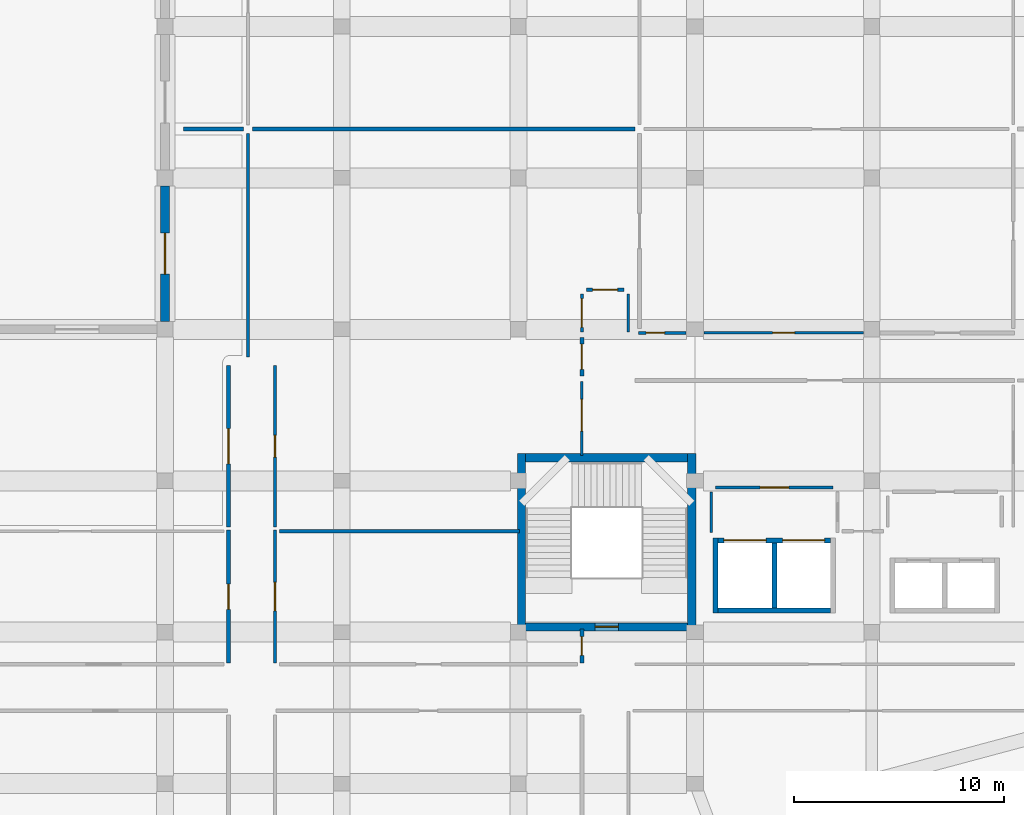
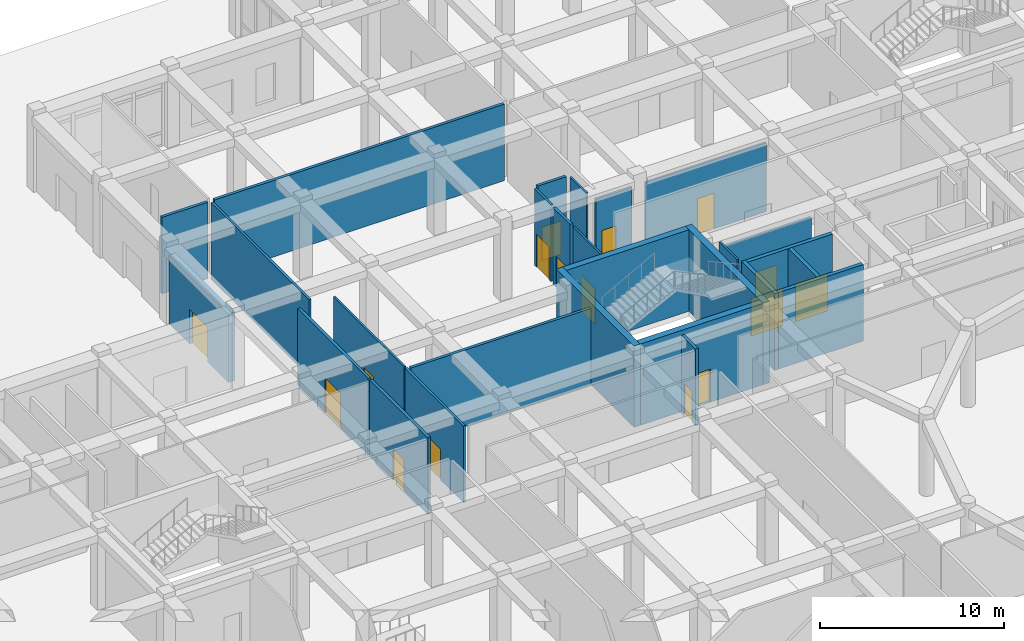
# One storey, part 71 of 84: 27 walls, 16 doors, 16 openings.
"""IFC4 building model written with IfcOpenShell, lengths in metres."""

from ifc_helpers import new_model, si_unit, derived_unit, direction, frame, frame_2d, origin, place, context, subcontext, project, spatial, rectangle, extrude, material, layer, layer_set, type_object, element, fill, save


model = new_model("IFC4")

# Units and contexts
model_context = context("Model", 3, precision=1e-05, world=origin(), true_north=direction((0.0, 1.0)))
body_context = subcontext(model_context, "Body", "Model", "MODEL_VIEW")
ifc_project = project(units=[si_unit("LENGTHUNIT", "METRE"), si_unit("AREAUNIT", "SQUARE_METRE"), si_unit("VOLUMEUNIT", "CUBIC_METRE"), si_unit("PLANEANGLEUNIT", "RADIAN"), si_unit("MASSUNIT", "GRAM", prefix="KILO"), derived_unit("THERMALTRANSMITTANCEUNIT", [(si_unit("POWERUNIT", "WATT"), 1), (si_unit("LENGTHUNIT", "METRE"), -2), (si_unit("THERMODYNAMICTEMPERATUREUNIT", "KELVIN"), -1)])], contexts=[model_context])

# Site, building, storey
site_placement = place(None, origin())
site = spatial("IfcSite", under=ifc_project, at=site_placement, CompositionType="ELEMENT")
building_placement = place(site_placement, origin())
building = spatial("IfcBuilding", under=site, at=building_placement, Name="Veybourne Emporium", CompositionType="ELEMENT")
storey_placement = place(building_placement, origin())
storey = spatial("IfcBuildingStorey", under=building, at=storey_placement, Name="L00", CompositionType="ELEMENT", Elevation=0.0)

# Wall, opening, door
ifc_material_1 = material(Name="Honed Black Granite Plinth", Category="masonry")
ifc_layer_1 = layer(ifc_material_1, 0.419921875)
ifc_layer_set_1 = layer_set([ifc_layer_1], Name="Honed Black Granite Plinth")
wall_type_1 = type_object("IfcWallType", Name="ExtWall_EW-02", PredefinedType="SOLIDWALL", material=ifc_layer_set_1)
wall_1_placement = place(storey_placement, frame((33.60009765625, 86.77490234375, 0.0), z_axis=(0.0, 0.0, 1.0), x_axis=(0.0, 1.0, 0.0)))
wall_1 = element("IfcWall", 1, at=wall_1_placement, inside=storey, type_object=wall_type_1, Name="Ground street granite plinth entrance wall 022", PredefinedType="SOLIDWALL", context=body_context, shape_type="SweptSolid", body=[
    extrude(rectangle(XDim=6.4501953125, YDim=0.419921875, at=frame_2d((3.22509765625, 0.0))), origin(), (0.0, 0.0, 1.0), 4.530029296875),
])
opening_1_placement = place(wall_1_placement, frame((2.25, 0.0, 0.0)))
opening_1 = element("IfcOpeningElement", 2, at=opening_1_placement, cuts=wall_1, Name="Opening EX-06", PredefinedType="OPENING", context=body_context, shape_type="SweptSolid", body=[
    extrude(rectangle(XDim=1.949951171875, YDim=2.300048828125, at=frame_2d((0.97509765625, 1.14990234375))), frame((0.0, 0.22998046875, 0.0), z_axis=(0.0, -1.0, 0.0), x_axis=(1.0, 0.0, 0.0)), (0.0, 0.0, 1.0), 0.4599609375),
])
ifc_material_2 = material(Name="Patinated Architectural Bronze", Category="bronze")
door_type_1 = type_object("IfcDoorType", Name="ExitDoor_EX-06", OperationType="DOUBLE_DOOR_SINGLE_SWING", PredefinedType="DOOR", material=ifc_material_2)
door_1_placement = place(opening_1_placement, origin())
door_1 = element("IfcDoor", 3, at=door_1_placement, inside=storey, type_object=door_type_1, Name="Pedestrian final exit door EX-06 #11", OperationType="DOUBLE_DOOR_SINGLE_SWING", OverallHeight=2.300048828125, OverallWidth=1.949951171875, PredefinedType="DOOR", context=body_context, shape_type="SweptSolid", body=[
    extrude(rectangle(XDim=1.949951171875, YDim=2.300048828125, at=frame_2d((0.97509765625, 1.14990234375))), frame((0.0, 0.02490234375, 0.0), z_axis=(0.0, -1.0, 0.0), x_axis=(1.0, 0.0, 0.0)), (0.0, 0.0, 1.0), 0.050048828125),
])
fill(opening_1, door_1)

ifc_material_3 = material(Name="Concrete C40/50", Category="concrete")
ifc_layer_2 = layer(ifc_material_3, 0.39990234375)
ifc_layer_set_2 = layer_set([ifc_layer_2], Name="Concrete C40/50")
wall_type_2 = type_object("IfcWallType", Name="IntWall_CW-01", PredefinedType="SHEAR", material=ifc_layer_set_2)
wall_2_placement = place(storey_placement, frame((58.449951171875, 72.25, 0.0), z_axis=(0.0, 0.0, 1.0), x_axis=(-1.0, 0.0, 0.0)))
wall_2 = element("IfcWall", 4, at=wall_2_placement, inside=storey, type_object=wall_type_2, Name="Core stair ST-03 south shear wall (L00)", PredefinedType="SHEAR", context=body_context, shape_type="SweptSolid", body=[
    extrude(rectangle(XDim=7.699951171875, YDim=0.39990234375, at=frame_2d((3.85009765625, 0.0))), origin(), (0.0, 0.0, 1.0), 5.39990234375),
])
opening_2_placement = place(wall_2_placement, frame((3.300048828125, 0.0, 0.0)))
opening_2 = element("IfcOpeningElement", 5, at=opening_2_placement, cuts=wall_2, Name="Opening FD-01", PredefinedType="OPENING", context=body_context, shape_type="SweptSolid", body=[
    extrude(rectangle(XDim=1.10009765625, YDim=2.199951171875, at=frame_2d((0.550048828125, 1.10009765625))), frame((0.0, 0.219970703125, 0.0), z_axis=(0.0, -1.0, 0.0), x_axis=(1.0, 0.0, 0.0)), (0.0, 0.0, 1.0), 0.43994140625),
])
door_type_2 = type_object("IfcDoorType", Name="FireDoor_FD-01", OperationType="NOTDEFINED", PredefinedType="DOOR", material=ifc_material_2)
door_2_placement = place(opening_2_placement, origin())
door_2 = element("IfcDoor", 6, at=door_2_placement, inside=storey, type_object=door_type_2, Name="Stair ST-03 fire door (L00)", OperationType="SINGLE_SWING_LEFT", OverallHeight=2.199951171875, OverallWidth=1.10009765625, PredefinedType="DOOR", context=body_context, shape_type="SweptSolid", body=[
    extrude(rectangle(XDim=1.10009765625, YDim=2.199951171875, at=frame_2d((0.550048828125, 1.10009765625))), frame((0.0, 0.02490234375, 0.0), z_axis=(0.0, -1.0, 0.0), x_axis=(1.0, 0.0, 0.0)), (0.0, 0.0, 1.0), 0.050048828125),
])
fill(opening_2, door_2)

# Walls
wall_3_placement = place(storey_placement, frame((50.75, 80.300048828125, 0.0), z_axis=(0.0, 0.0, 1.0), x_axis=(1.0, 0.0, 0.0)))
element("IfcWall", 7, at=wall_3_placement, inside=storey, type_object=wall_type_2, Name="Core stair ST-03 north shear wall (L00)", PredefinedType="SHEAR", context=body_context, shape_type="SweptSolid", body=[
    extrude(rectangle(XDim=7.699951171875, YDim=0.39990234375, at=frame_2d((3.85009765625, 0.0))), origin(), (0.0, 0.0, 1.0), 5.39990234375),
])
for number, where, z_axis, x_axis, name in (
    (8, (50.550048828125, 80.5, 0.0), (0.0, 0.0, 1.0), (0.0, -1.0, 0.0), "Core stair ST-03 west shear wall (L00)"),
    (9, (58.64990234375, 72.050048828125, 0.0), (0.0, 0.0, 1.0), (0.0, 1.0, 0.0), "Core stair ST-03 east shear wall (L00)"),
):
    element("IfcWall", number, at=place(storey_placement, frame(where, z_axis=z_axis, x_axis=x_axis)), inside=storey, type_object=wall_type_2, Name=name, PredefinedType="SHEAR", context=body_context, shape_type="SweptSolid", body=[
        extrude(rectangle(XDim=8.449951171875, YDim=0.39990234375, at=frame_2d((4.22509765625, 0.0))), origin(), (0.0, 0.0, 1.0), 5.39990234375),
    ])

# Wall, openings, doors
ifc_layer_3 = layer(ifc_material_3, 0.239990234375)
ifc_layer_set_3 = layer_set([ifc_layer_3], Name="Concrete C40/50")
wall_type_3 = type_object("IfcWallType", Name="IntWall_CW-04", PredefinedType="SHEAR", material=ifc_layer_set_3)
wall_4_placement = place(storey_placement, frame((65.239990234375, 76.3701171875, 0.0), z_axis=(0.0, 0.0, 1.0), x_axis=(-1.0, 0.0, 0.0)))
wall_4 = element("IfcWall", 10, at=wall_4_placement, inside=storey, type_object=wall_type_3, Name="Lift core C4G north shaft wall (L00)", PredefinedType="SHEAR", context=body_context, shape_type="SweptSolid", body=[
    extrude(rectangle(XDim=5.340087890625, YDim=0.239990234375, at=frame_2d((2.669921875, 0.0))), origin(), (0.0, 0.0, 1.0), 5.080078125),
])
opening_3_placement = place(wall_4_placement, frame((3.06494140625, 0.0, 0.0)))
opening_3 = element("IfcOpeningElement", 11, at=opening_3_placement, cuts=wall_4, Name="Opening LD-03", PredefinedType="OPENING", context=body_context, shape_type="SweptSolid", body=[
    extrude(rectangle(XDim=2.0, YDim=2.5, at=frame_2d((1.0, 1.25))), frame((0.0, 0.14013671875, 0.0), z_axis=(0.0, -1.0, 0.0), x_axis=(1.0, 0.0, 0.0)), (0.0, 0.0, 1.0), 0.280029296875),
])
opening_4_placement = place(wall_4_placement, frame((0.27490234375, 0.0, 0.0)))
opening_4 = element("IfcOpeningElement", 12, at=opening_4_placement, cuts=wall_4, Name="Opening LD-03", PredefinedType="OPENING", context=body_context, shape_type="SweptSolid", body=[
    extrude(rectangle(XDim=2.0, YDim=2.5, at=frame_2d((1.0, 1.25))), frame((0.0, 0.14013671875, 0.0), z_axis=(0.0, -1.0, 0.0), x_axis=(1.0, 0.0, 0.0)), (0.0, 0.0, 1.0), 0.280029296875),
])
door_type_3 = type_object("IfcDoorType", Name="FireDoor_LD-03", OperationType="DOUBLE_DOOR_SLIDING", PredefinedType="DOOR", material=ifc_material_2)
door_3_placement = place(opening_3_placement, origin())
door_3 = element("IfcDoor", 13, at=door_3_placement, inside=storey, type_object=door_type_3, Name="Lift GL-01 sliding landing door (L00)", OperationType="DOUBLE_DOOR_SLIDING", OverallHeight=2.5, OverallWidth=2.0, PredefinedType="DOOR", context=body_context, shape_type="SweptSolid", body=[
    extrude(rectangle(XDim=2.0, YDim=2.5, at=frame_2d((1.0, 1.25))), frame((0.0, 0.02490234375, 0.0), z_axis=(0.0, -1.0, 0.0), x_axis=(1.0, 0.0, 0.0)), (0.0, 0.0, 1.0), 0.050048828125),
])
fill(opening_3, door_3)
door_4_placement = place(opening_4_placement, origin())
door_4 = element("IfcDoor", 14, at=door_4_placement, inside=storey, type_object=door_type_3, Name="Lift GL-02 sliding landing door (L00)", OperationType="DOUBLE_DOOR_SLIDING", OverallHeight=2.5, OverallWidth=2.0, PredefinedType="DOOR", context=body_context, shape_type="SweptSolid", body=[
    extrude(rectangle(XDim=2.0, YDim=2.5, at=frame_2d((1.0, 1.25))), frame((0.0, 0.02490234375, 0.0), z_axis=(0.0, -1.0, 0.0), x_axis=(1.0, 0.0, 0.0)), (0.0, 0.0, 1.0), 0.050048828125),
])
fill(opening_4, door_4)

# Walls
wall_5_placement = place(storey_placement, frame((59.89990234375, 73.030029296875, 0.0), z_axis=(0.0, 0.0, 1.0), x_axis=(1.0, 0.0, 0.0)))
element("IfcWall", 15, at=wall_5_placement, inside=storey, type_object=wall_type_3, Name="Lift core C4G south shaft wall (L00)", PredefinedType="SHEAR", context=body_context, shape_type="SweptSolid", body=[
    extrude(rectangle(XDim=5.340087890625, YDim=0.239990234375, at=frame_2d((2.669921875, 0.0))), origin(), (0.0, 0.0, 1.0), 5.080078125),
])
wall_6_placement = place(storey_placement, frame((59.780029296875, 76.489990234375, 0.0), z_axis=(0.0, 0.0, 1.0), x_axis=(0.0, -1.0, 0.0)))
element("IfcWall", 16, at=wall_6_placement, inside=storey, type_object=wall_type_3, Name="Lift core C4G west shaft wall (L00)", PredefinedType="SHEAR", context=body_context, shape_type="SweptSolid", body=[
    extrude(rectangle(XDim=3.580078125, YDim=0.239990234375, at=frame_2d((1.7900390625, 0.0))), origin(), (0.0, 0.0, 1.0), 5.080078125),
])
wall_7_placement = place(storey_placement, frame((62.570068359375, 73.14990234375, 0.0), z_axis=(0.0, 0.0, 1.0), x_axis=(0.0, 1.0, 0.0)))
element("IfcWall", 17, at=wall_7_placement, inside=storey, type_object=wall_type_3, Name="Lift core C4G divider wall 1 (L00)", PredefinedType="SHEAR", context=body_context, shape_type="SweptSolid", body=[
    extrude(rectangle(XDim=3.10009765625, YDim=0.239990234375, at=frame_2d((1.550048828125, 0.0))), origin(), (0.0, 0.0, 1.0), 5.080078125),
])

# Wall, opening, door
ifc_material_4 = material(Name="Gypsum Acoustic Board", Category="gypsum")
ifc_layer_4 = layer(ifc_material_4, 0.179931640625)
ifc_layer_set_4 = layer_set([ifc_layer_4], Name="Gypsum Acoustic Board")
wall_type_4 = type_object("IfcWallType", Name="IntWall_IW-01", PredefinedType="PARTITIONING", material=ifc_layer_set_4)
wall_8_placement = place(storey_placement, frame((36.6201171875, 77.010009765625, 0.0), z_axis=(0.0, 0.0, 1.0), x_axis=(0.0, 1.0, 0.0)))
wall_8 = element("IfcWall", 18, at=wall_8_placement, inside=storey, type_object=wall_type_4, Name="L00 interior partition IW-01 #092", PredefinedType="PARTITIONING", context=body_context, shape_type="SweptSolid", body=[
    extrude(rectangle(XDim=7.659912109375, YDim=0.179931640625, at=frame_2d((3.830078125, 0.0))), origin(), (0.0, 0.0, 1.0), 5.080078125),
])
opening_5_placement = place(wall_8_placement, frame((2.989990234375, 0.0, 0.0)))
opening_5 = element("IfcOpeningElement", 19, at=opening_5_placement, cuts=wall_8, Name="Opening D-24", PredefinedType="OPENING", context=body_context, shape_type="SweptSolid", body=[
    extrude(rectangle(XDim=1.679931640625, YDim=2.2900390625, at=frame_2d((0.83984375, 1.14501953125))), frame((0.0, 0.10986328125, 0.0), z_axis=(0.0, -1.0, 0.0), x_axis=(1.0, 0.0, 0.0)), (0.0, 0.0, 1.0), 0.219970703125),
])
ifc_material_5 = material(Name="European Oak Veneer and Bronze", Category="wood")
door_type_4 = type_object("IfcDoorType", Name="IntDoor_D-24", OperationType="DOUBLE_DOOR_SINGLE_SWING", PredefinedType="DOOR", material=ifc_material_5)
door_5_placement = place(opening_5_placement, origin())
door_5 = element("IfcDoor", 20, at=door_5_placement, inside=storey, type_object=door_type_4, Name="L00 interior door D-24 (PART-L00-092)", OperationType="DOUBLE_DOOR_SINGLE_SWING", OverallHeight=2.2900390625, OverallWidth=1.679931640625, PredefinedType="DOOR", context=body_context, shape_type="SweptSolid", body=[
    extrude(rectangle(XDim=1.679931640625, YDim=2.2900390625, at=frame_2d((0.83984375, 1.14501953125))), frame((0.0, 0.02490234375, 0.0), z_axis=(0.0, -1.0, 0.0), x_axis=(1.0, 0.0, 0.0)), (0.0, 0.0, 1.0), 0.050048828125),
])
fill(opening_5, door_5)

wall_9_placement = place(storey_placement, frame((36.6201171875, 70.530029296875, 0.0), z_axis=(0.0, 0.0, 1.0), x_axis=(0.0, 1.0, 0.0)))
wall_9 = element("IfcWall", 21, at=wall_9_placement, inside=storey, type_object=wall_type_4, Name="L00 interior partition IW-01 #107", PredefinedType="PARTITIONING", context=body_context, shape_type="SweptSolid", body=[
    extrude(rectangle(XDim=6.320068359375, YDim=0.179931640625, at=frame_2d((3.16015625, 0.0))), origin(), (0.0, 0.0, 1.0), 5.080078125),
])
opening_6_placement = place(wall_9_placement, frame((2.56005859375, 0.0, 0.0)))
opening_6 = element("IfcOpeningElement", 22, at=opening_6_placement, cuts=wall_9, Name="Opening D-03", PredefinedType="OPENING", context=body_context, shape_type="SweptSolid", body=[
    extrude(rectangle(XDim=1.199951171875, YDim=2.050048828125, at=frame_2d((0.60009765625, 1.02490234375))), frame((0.0, 0.10986328125, 0.0), z_axis=(0.0, -1.0, 0.0), x_axis=(1.0, 0.0, 0.0)), (0.0, 0.0, 1.0), 0.219970703125),
])
door_type_5 = type_object("IfcDoorType", Name="IntDoor_D-03", OperationType="NOTDEFINED", PredefinedType="DOOR", material=ifc_material_5)
door_6_placement = place(opening_6_placement, origin())
door_6 = element("IfcDoor", 23, at=door_6_placement, inside=storey, type_object=door_type_5, Name="L00 interior door D-03 (PART-L00-107)", OperationType="SINGLE_SWING_RIGHT", OverallHeight=2.050048828125, OverallWidth=1.199951171875, PredefinedType="DOOR", context=body_context, shape_type="SweptSolid", body=[
    extrude(rectangle(XDim=1.199951171875, YDim=2.050048828125, at=frame_2d((0.60009765625, 1.02490234375))), frame((0.0, 0.02490234375, 0.0), z_axis=(0.0, -1.0, 0.0), x_axis=(1.0, 0.0, 0.0)), (0.0, 0.0, 1.0), 0.050048828125),
])
fill(opening_6, door_6)

wall_10_placement = place(storey_placement, frame((53.419921875, 84.179931640625, 0.0), z_axis=(0.0, 0.0, 1.0), x_axis=(0.0, 1.0, 0.0)))
wall_10 = element("IfcWall", 24, at=wall_10_placement, inside=storey, type_object=wall_type_4, Name="L00 interior partition IW-01 #179", PredefinedType="PARTITIONING", context=body_context, shape_type="SweptSolid", body=[
    extrude(rectangle(XDim=1.840087890625, YDim=0.179931640625, at=frame_2d((0.919921875, 0.0))), origin(), (0.0, 0.0, 1.0), 5.080078125),
])
opening_7_placement = place(wall_10_placement, frame((0.320068359375, 0.0, 0.0)))
opening_7 = element("IfcOpeningElement", 25, at=opening_7_placement, cuts=wall_10, Name="Opening D-03", PredefinedType="OPENING", context=body_context, shape_type="SweptSolid", body=[
    extrude(rectangle(XDim=1.199951171875, YDim=2.050048828125, at=frame_2d((0.60009765625, 1.02490234375))), frame((0.0, 0.10986328125, 0.0), z_axis=(0.0, -1.0, 0.0), x_axis=(1.0, 0.0, 0.0)), (0.0, 0.0, 1.0), 0.219970703125),
])
door_7_placement = place(opening_7_placement, origin())
door_7 = element("IfcDoor", 26, at=door_7_placement, inside=storey, type_object=door_type_5, Name="L00 interior door D-03 (PART-L00-179)", OperationType="SINGLE_SWING_RIGHT", OverallHeight=2.050048828125, OverallWidth=1.199951171875, PredefinedType="DOOR", context=body_context, shape_type="SweptSolid", body=[
    extrude(rectangle(XDim=1.199951171875, YDim=2.050048828125, at=frame_2d((0.60009765625, 1.02490234375))), frame((0.0, 0.02490234375, 0.0), z_axis=(0.0, -1.0, 0.0), x_axis=(1.0, 0.0, 0.0)), (0.0, 0.0, 1.0), 0.050048828125),
])
fill(opening_7, door_7)

wall_11_placement = place(storey_placement, frame((53.6298828125, 88.280029296875, 0.0), z_axis=(0.0, 0.0, 1.0), x_axis=(1.0, 0.0, 0.0)))
wall_11 = element("IfcWall", 27, at=wall_11_placement, inside=storey, type_object=wall_type_4, Name="L00 interior partition IW-01 #191", PredefinedType="PARTITIONING", context=body_context, shape_type="SweptSolid", body=[
    extrude(rectangle(XDim=1.7900390625, YDim=0.179931640625, at=frame_2d((0.89501953125, 0.0))), origin(), (0.0, 0.0, 1.0), 5.080078125),
])
opening_8_placement = place(wall_11_placement, frame((0.294921875, 0.0, 0.0)))
opening_8 = element("IfcOpeningElement", 28, at=opening_8_placement, cuts=wall_11, Name="Opening D-15", PredefinedType="OPENING", context=body_context, shape_type="SweptSolid", body=[
    extrude(rectangle(XDim=1.199951171875, YDim=2.2099609375, at=frame_2d((0.60009765625, 1.10498046875))), frame((0.0, 0.10986328125, 0.0), z_axis=(0.0, -1.0, 0.0), x_axis=(1.0, 0.0, 0.0)), (0.0, 0.0, 1.0), 0.219970703125),
])
door_type_6 = type_object("IfcDoorType", Name="IntDoor_D-15", OperationType="NOTDEFINED", PredefinedType="DOOR", material=ifc_material_5)
door_8_placement = place(opening_8_placement, origin())
door_8 = element("IfcDoor", 29, at=door_8_placement, inside=storey, type_object=door_type_6, Name="L00 interior door D-15 (PART-L00-191)", OperationType="SINGLE_SWING_RIGHT", OverallHeight=2.2099609375, OverallWidth=1.199951171875, PredefinedType="DOOR", context=body_context, shape_type="SweptSolid", body=[
    extrude(rectangle(XDim=1.199951171875, YDim=2.2099609375, at=frame_2d((0.60009765625, 1.10498046875))), frame((0.0, 0.02490234375, 0.0), z_axis=(0.0, -1.0, 0.0), x_axis=(1.0, 0.0, 0.0)), (0.0, 0.0, 1.0), 0.050048828125),
])
fill(opening_8, door_8)

wall_12_placement = place(storey_placement, frame((53.419921875, 70.530029296875, 0.0), z_axis=(0.0, 0.0, 1.0), x_axis=(0.0, 1.0, 0.0)))
wall_12 = element("IfcWall", 30, at=wall_12_placement, inside=storey, type_object=wall_type_4, Name="L00 interior partition IW-01 #194", PredefinedType="PARTITIONING", context=body_context, shape_type="SweptSolid", body=[
    extrude(rectangle(XDim=1.6298828125, YDim=0.179931640625, at=frame_2d((0.81494140625, 0.0))), origin(), (0.0, 0.0, 1.0), 5.080078125),
])
opening_9_placement = place(wall_12_placement, frame((0.375, 0.0, 0.0)))
opening_9 = element("IfcOpeningElement", 31, at=opening_9_placement, cuts=wall_12, Name="Opening D-01", PredefinedType="OPENING", context=body_context, shape_type="SweptSolid", body=[
    extrude(rectangle(XDim=0.8798828125, YDim=2.050048828125, at=frame_2d((0.43994140625, 1.02490234375))), frame((0.0, 0.10986328125, 0.0), z_axis=(0.0, -1.0, 0.0), x_axis=(1.0, 0.0, 0.0)), (0.0, 0.0, 1.0), 0.219970703125),
])
door_type_7 = type_object("IfcDoorType", Name="IntDoor_D-01", OperationType="NOTDEFINED", PredefinedType="DOOR", material=ifc_material_5)
door_9_placement = place(opening_9_placement, origin())
door_9 = element("IfcDoor", 32, at=door_9_placement, inside=storey, type_object=door_type_7, Name="L00 interior door D-01 (PART-L00-194)", OperationType="SINGLE_SWING_LEFT", OverallHeight=2.050048828125, OverallWidth=0.8798828125, PredefinedType="DOOR", context=body_context, shape_type="SweptSolid", body=[
    extrude(rectangle(XDim=0.8798828125, YDim=2.050048828125, at=frame_2d((0.43994140625, 1.02490234375))), frame((0.0, 0.02490234375, 0.0), z_axis=(0.0, -1.0, 0.0), x_axis=(1.0, 0.0, 0.0)), (0.0, 0.0, 1.0), 0.050048828125),
])
fill(opening_9, door_9)

# Walls
wall_13_placement = place(storey_placement, frame((37.757080078125, 95.919921875, 0.0), z_axis=(0.0, 0.0, 1.0), x_axis=(1.0, 0.0, 0.0)))
element("IfcWall", 33, at=wall_13_placement, inside=storey, type_object=wall_type_4, Name="L00 interior partition IW-01 #203", PredefinedType="PARTITIONING", context=body_context, shape_type="SweptSolid", body=[
    extrude(rectangle(XDim=18.19287109375, YDim=0.179931640625, at=frame_2d((9.096435546875, 0.0))), origin(), (0.0, 0.0, 1.0), 5.080078125),
])
wall_14_placement = place(storey_placement, frame((39.0400390625, 76.800048828125, 0.0), z_axis=(0.0, 0.0, 1.0), x_axis=(1.0, 0.0, 0.0)))
element("IfcWall", 34, at=wall_14_placement, inside=storey, type_object=wall_type_4, Name="L00 interior partition IW-01 #209", PredefinedType="PARTITIONING", context=body_context, shape_type="SweptSolid", body=[
    extrude(rectangle(XDim=11.419921875, YDim=0.179931640625, at=frame_2d((5.7099609375, 0.0))), origin(), (0.0, 0.0, 1.0), 5.080078125),
])
wall_15_placement = place(storey_placement, frame((34.472900390625, 95.919921875, 0.0), z_axis=(0.0, 0.0, 1.0), x_axis=(1.0, 0.0, 0.0)))
element("IfcWall", 35, at=wall_15_placement, inside=storey, type_object=wall_type_4, Name="L00 interior partition IW-01 #218", PredefinedType="PARTITIONING", context=body_context, shape_type="SweptSolid", body=[
    extrude(rectangle(XDim=2.864013671875, YDim=0.179931640625, at=frame_2d((1.43212890625, 0.0))), origin(), (0.0, 0.0, 1.0), 5.080078125),
])

# Wall, opening, door
ifc_layer_5 = layer(ifc_material_4, 0.14990234375)
ifc_layer_set_5 = layer_set([ifc_layer_5], Name="Gypsum Acoustic Board")
wall_type_5 = type_object("IfcWallType", Name="IntWall_IW-02", PredefinedType="PARTITIONING", material=ifc_layer_set_5)
wall_16_placement = place(storey_placement, frame((56.110107421875, 86.22998046875, 0.0), z_axis=(0.0, 0.0, 1.0), x_axis=(1.0, 0.0, 0.0)))
wall_16 = element("IfcWall", 36, at=wall_16_placement, inside=storey, type_object=wall_type_5, Name="L00 interior partition IW-02 #021", PredefinedType="PARTITIONING", context=body_context, shape_type="SweptSolid", body=[
    extrude(rectangle(XDim=2.269775390625, YDim=0.14990234375, at=frame_2d((1.134765625, 0.0))), origin(), (0.0, 0.0, 1.0), 4.580078125),
])
opening_10_placement = place(wall_16_placement, frame((0.361328125, 0.0, 0.0)))
opening_10 = element("IfcOpeningElement", 37, at=opening_10_placement, cuts=wall_16, Name="Opening D-25", PredefinedType="OPENING", context=body_context, shape_type="SweptSolid", body=[
    extrude(rectangle(XDim=0.8798828125, YDim=2.3701171875, at=frame_2d((0.43994140625, 1.18505859375))), frame((0.0, 0.094970703125, 0.0), z_axis=(0.0, -1.0, 0.0), x_axis=(1.0, 0.0, 0.0)), (0.0, 0.0, 1.0), 0.18994140625),
])
door_type_8 = type_object("IfcDoorType", Name="IntDoor_D-25", OperationType="NOTDEFINED", PredefinedType="DOOR", material=ifc_material_5)
door_10_placement = place(opening_10_placement, origin())
door_10 = element("IfcDoor", 38, at=door_10_placement, inside=storey, type_object=door_type_8, Name="L00 interior door D-25 (PART-L00-021)", OperationType="SINGLE_SWING_LEFT", OverallHeight=2.3701171875, OverallWidth=0.8798828125, PredefinedType="DOOR", context=body_context, shape_type="SweptSolid", body=[
    extrude(rectangle(XDim=0.8798828125, YDim=2.3701171875, at=frame_2d((0.43994140625, 1.18505859375))), frame((0.0, 0.02490234375, 0.0), z_axis=(0.0, -1.0, 0.0), x_axis=(1.0, 0.0, 0.0)), (0.0, 0.0, 1.0), 0.050048828125),
])
fill(opening_10, door_10)

wall_17_placement = place(storey_placement, frame((38.830078125, 70.530029296875, 0.0), z_axis=(0.0, 0.0, 1.0), x_axis=(0.0, 1.0, 0.0)))
wall_17 = element("IfcWall", 39, at=wall_17_placement, inside=storey, type_object=wall_type_5, Name="L00 interior partition IW-02 #108", PredefinedType="PARTITIONING", context=body_context, shape_type="SweptSolid", body=[
    extrude(rectangle(XDim=6.320068359375, YDim=0.14990234375, at=frame_2d((3.16015625, 0.0))), origin(), (0.0, 0.0, 1.0), 5.080078125),
])
opening_11_placement = place(wall_17_placement, frame((2.47998046875, 0.0, 0.0)))
opening_11 = element("IfcOpeningElement", 40, at=opening_11_placement, cuts=wall_17, Name="Opening D-04", PredefinedType="OPENING", context=body_context, shape_type="SweptSolid", body=[
    extrude(rectangle(XDim=1.360107421875, YDim=2.050048828125, at=frame_2d((0.68017578125, 1.02490234375))), frame((0.0, 0.094970703125, 0.0), z_axis=(0.0, -1.0, 0.0), x_axis=(1.0, 0.0, 0.0)), (0.0, 0.0, 1.0), 0.18994140625),
])
door_type_9 = type_object("IfcDoorType", Name="IntDoor_D-04", OperationType="NOTDEFINED", PredefinedType="DOOR", material=ifc_material_5)
door_11_placement = place(opening_11_placement, frame((1.360107421875, 0.0, 0.0), z_axis=(0.0, 0.0, 1.0), x_axis=(-1.0, 0.0, 0.0)))
door_11 = element("IfcDoor", 41, at=door_11_placement, inside=storey, type_object=door_type_9, Name="L00 interior door D-04 (PART-L00-108)", OperationType="SINGLE_SWING_LEFT", OverallHeight=2.050048828125, OverallWidth=1.360107421875, PredefinedType="DOOR", context=body_context, shape_type="SweptSolid", body=[
    extrude(rectangle(XDim=1.360107421875, YDim=2.050048828125, at=frame_2d((0.68017578125, 1.02490234375))), frame((0.0, 0.02490234375, 0.0), z_axis=(0.0, -1.0, 0.0), x_axis=(1.0, 0.0, 0.0)), (0.0, 0.0, 1.0), 0.050048828125),
])
fill(opening_11, door_11)

wall_18_placement = place(storey_placement, frame((59.780029296875, 78.8798828125, 0.0), z_axis=(0.0, 0.0, 1.0), x_axis=(1.0, 0.0, 0.0)))
wall_18 = element("IfcWall", 42, at=wall_18_placement, inside=storey, type_object=wall_type_5, Name="L00 interior partition IW-02 #114", PredefinedType="PARTITIONING", context=body_context, shape_type="SweptSolid", body=[
    extrude(rectangle(XDim=5.590087890625, YDim=0.14990234375, at=frame_2d((2.794921875, 0.0))), origin(), (0.0, 0.0, 1.0), 4.580078125),
])
opening_12_placement = place(wall_18_placement, frame((2.114990234375, 0.0, 0.0)))
opening_12 = element("IfcOpeningElement", 43, at=opening_12_placement, cuts=wall_18, Name="Opening D-10", PredefinedType="OPENING", context=body_context, shape_type="SweptSolid", body=[
    extrude(rectangle(XDim=1.360107421875, YDim=2.1298828125, at=frame_2d((0.68017578125, 1.06494140625))), frame((0.0, 0.094970703125, 0.0), z_axis=(0.0, -1.0, 0.0), x_axis=(1.0, 0.0, 0.0)), (0.0, 0.0, 1.0), 0.18994140625),
])
door_type_10 = type_object("IfcDoorType", Name="IntDoor_D-10", OperationType="NOTDEFINED", PredefinedType="DOOR", material=ifc_material_5)
door_12_placement = place(opening_12_placement, origin())
door_12 = element("IfcDoor", 44, at=door_12_placement, inside=storey, type_object=door_type_10, Name="L00 interior door D-10 (PART-L00-114)", OperationType="SINGLE_SWING_RIGHT", OverallHeight=2.1298828125, OverallWidth=1.360107421875, PredefinedType="DOOR", context=body_context, shape_type="SweptSolid", body=[
    extrude(rectangle(XDim=1.360107421875, YDim=2.1298828125, at=frame_2d((0.68017578125, 1.06494140625))), frame((0.0, 0.02490234375, 0.0), z_axis=(0.0, -1.0, 0.0), x_axis=(1.0, 0.0, 0.0)), (0.0, 0.0, 1.0), 0.050048828125),
])
fill(opening_12, door_12)

wall_19_placement = place(storey_placement, frame((53.419921875, 86.280029296875, 0.0), z_axis=(0.0, 0.0, 1.0), x_axis=(0.0, 1.0, 0.0)))
wall_19 = element("IfcWall", 45, at=wall_19_placement, inside=storey, type_object=wall_type_5, Name="L00 interior partition IW-02 #192", PredefinedType="PARTITIONING", context=body_context, shape_type="SweptSolid", body=[
    extrude(rectangle(XDim=1.7900390625, YDim=0.14990234375, at=frame_2d((0.89501953125, 0.0))), origin(), (0.0, 0.0, 1.0), 5.080078125),
])
opening_13_placement = place(wall_19_placement, frame((0.215087890625, 0.0, 0.0)))
opening_13 = element("IfcOpeningElement", 46, at=opening_13_placement, cuts=wall_19, Name="Opening D-16", PredefinedType="OPENING", context=body_context, shape_type="SweptSolid", body=[
    extrude(rectangle(XDim=1.360107421875, YDim=2.2099609375, at=frame_2d((0.68017578125, 1.10498046875))), frame((0.0, 0.094970703125, 0.0), z_axis=(0.0, -1.0, 0.0), x_axis=(1.0, 0.0, 0.0)), (0.0, 0.0, 1.0), 0.18994140625),
])
door_type_11 = type_object("IfcDoorType", Name="IntDoor_D-16", OperationType="NOTDEFINED", PredefinedType="DOOR", material=ifc_material_5)
door_13_placement = place(opening_13_placement, origin())
door_13 = element("IfcDoor", 47, at=door_13_placement, inside=storey, type_object=door_type_11, Name="L00 interior door D-16 (PART-L00-192)", OperationType="SINGLE_SWING_LEFT", OverallHeight=2.2099609375, OverallWidth=1.360107421875, PredefinedType="DOOR", context=body_context, shape_type="SweptSolid", body=[
    extrude(rectangle(XDim=1.360107421875, YDim=2.2099609375, at=frame_2d((0.68017578125, 1.10498046875))), frame((0.0, 0.02490234375, 0.0), z_axis=(0.0, -1.0, 0.0), x_axis=(1.0, 0.0, 0.0)), (0.0, 0.0, 1.0), 0.050048828125),
])
fill(opening_13, door_13)

# Wall
wall_20_placement = place(storey_placement, frame((37.547119140625, 85.090087890625, 0.0), z_axis=(0.0, 0.0, 1.0), x_axis=(0.0, 1.0, 0.0)))
element("IfcWall", 48, at=wall_20_placement, inside=storey, type_object=wall_type_5, Name="L00 interior partition IW-02 #210", PredefinedType="PARTITIONING", context=body_context, shape_type="SweptSolid", body=[
    extrude(rectangle(XDim=10.619873046875, YDim=0.14990234375, at=frame_2d((5.31005859375, 0.0))), origin(), (0.0, 0.0, 1.0), 5.080078125),
])

# Wall, opening, door
ifc_layer_6 = layer(ifc_material_4, 0.1201171875)
ifc_layer_set_6 = layer_set([ifc_layer_6], Name="Gypsum Acoustic Board")
wall_type_6 = type_object("IfcWallType", Name="IntWall_IW-03", PredefinedType="PARTITIONING", material=ifc_layer_set_6)
wall_21_placement = place(storey_placement, frame((59.219970703125, 86.22998046875, 0.0), z_axis=(0.0, 0.0, 1.0), x_axis=(1.0, 0.0, 0.0)))
wall_21 = element("IfcWall", 49, at=wall_21_placement, inside=storey, type_object=wall_type_6, Name="L00 interior partition IW-03 #022", PredefinedType="PARTITIONING", context=body_context, shape_type="SweptSolid", body=[
    extrude(rectangle(XDim=7.5849609375, YDim=0.1201171875, at=frame_2d((3.79248046875, 0.0))), origin(), (0.0, 0.0, 1.0), 4.580078125),
])
opening_14_placement = place(wall_21_placement, frame((3.2724609375, 0.0, 0.0)))
opening_14 = element("IfcOpeningElement", 50, at=opening_14_placement, cuts=wall_21, Name="Opening D-26", PredefinedType="OPENING", context=body_context, shape_type="SweptSolid", body=[
    extrude(rectangle(XDim=1.0400390625, YDim=2.3701171875, at=frame_2d((0.52001953125, 1.18505859375))), frame((0.0, 0.080078125, 0.0), z_axis=(0.0, -1.0, 0.0), x_axis=(1.0, 0.0, 0.0)), (0.0, 0.0, 1.0), 0.16015625),
])
door_type_12 = type_object("IfcDoorType", Name="IntDoor_D-26", OperationType="NOTDEFINED", PredefinedType="DOOR", material=ifc_material_5)
door_14_placement = place(opening_14_placement, origin())
door_14 = element("IfcDoor", 51, at=door_14_placement, inside=storey, type_object=door_type_12, Name="L00 interior door D-26 (PART-L00-022)", OperationType="SINGLE_SWING_RIGHT", OverallHeight=2.3701171875, OverallWidth=1.0400390625, PredefinedType="DOOR", context=body_context, shape_type="SweptSolid", body=[
    extrude(rectangle(XDim=1.0400390625, YDim=2.3701171875, at=frame_2d((0.52001953125, 1.18505859375))), frame((0.0, 0.02490234375, 0.0), z_axis=(0.0, -1.0, 0.0), x_axis=(1.0, 0.0, 0.0)), (0.0, 0.0, 1.0), 0.050048828125),
])
fill(opening_14, door_14)

wall_22_placement = place(storey_placement, frame((38.830078125, 77.010009765625, 0.0), z_axis=(0.0, 0.0, 1.0), x_axis=(0.0, 1.0, 0.0)))
wall_22 = element("IfcWall", 52, at=wall_22_placement, inside=storey, type_object=wall_type_6, Name="L00 interior partition IW-03 #094", PredefinedType="PARTITIONING", context=body_context, shape_type="SweptSolid", body=[
    extrude(rectangle(XDim=7.659912109375, YDim=0.1201171875, at=frame_2d((3.830078125, 0.0))), origin(), (0.0, 0.0, 1.0), 5.080078125),
])
opening_15_placement = place(wall_22_placement, frame((3.31005859375, 0.0, 0.0)))
opening_15 = element("IfcOpeningElement", 53, at=opening_15_placement, cuts=wall_22, Name="Opening D-26", PredefinedType="OPENING", context=body_context, shape_type="SweptSolid", body=[
    extrude(rectangle(XDim=1.0400390625, YDim=2.3701171875, at=frame_2d((0.52001953125, 1.18505859375))), frame((0.0, 0.080078125, 0.0), z_axis=(0.0, -1.0, 0.0), x_axis=(1.0, 0.0, 0.0)), (0.0, 0.0, 1.0), 0.16015625),
])
door_15_placement = place(opening_15_placement, frame((1.0400390625, 0.0, 0.0), z_axis=(0.0, 0.0, 1.0), x_axis=(-1.0, 0.0, 0.0)))
door_15 = element("IfcDoor", 54, at=door_15_placement, inside=storey, type_object=door_type_12, Name="L00 interior door D-26 (PART-L00-094)", OperationType="SINGLE_SWING_RIGHT", OverallHeight=2.3701171875, OverallWidth=1.0400390625, PredefinedType="DOOR", context=body_context, shape_type="SweptSolid", body=[
    extrude(rectangle(XDim=1.0400390625, YDim=2.3701171875, at=frame_2d((0.52001953125, 1.18505859375))), frame((0.0, 0.02490234375, 0.0), z_axis=(0.0, -1.0, 0.0), x_axis=(1.0, 0.0, 0.0)), (0.0, 0.0, 1.0), 0.050048828125),
])
fill(opening_15, door_15)

wall_23_placement = place(storey_placement, frame((53.419921875, 80.389892578125, 0.0), z_axis=(0.0, 0.0, 1.0), x_axis=(0.0, 1.0, 0.0)))
wall_23 = element("IfcWall", 55, at=wall_23_placement, inside=storey, type_object=wall_type_6, Name="L00 interior partition IW-03 #133", PredefinedType="PARTITIONING", context=body_context, shape_type="SweptSolid", body=[
    extrude(rectangle(XDim=3.530029296875, YDim=0.1201171875, at=frame_2d((1.76513671875, 0.0))), origin(), (0.0, 0.0, 1.0), 5.080078125),
])
opening_16_placement = place(wall_23_placement, frame((1.165771484375, 0.0, 0.0)))
opening_16 = element("IfcOpeningElement", 56, at=opening_16_placement, cuts=wall_23, Name="Opening D-29", PredefinedType="OPENING", context=body_context, shape_type="SweptSolid", body=[
    extrude(rectangle(XDim=1.52001953125, YDim=2.3701171875, at=frame_2d((0.760009765625, 1.18505859375))), frame((0.0, 0.080078125, 0.0), z_axis=(0.0, -1.0, 0.0), x_axis=(1.0, 0.0, 0.0)), (0.0, 0.0, 1.0), 0.16015625),
])
door_type_13 = type_object("IfcDoorType", Name="IntDoor_D-29", OperationType="NOTDEFINED", PredefinedType="DOOR", material=ifc_material_5)
door_16_placement = place(opening_16_placement, origin())
door_16 = element("IfcDoor", 57, at=door_16_placement, inside=storey, type_object=door_type_13, Name="L00 interior door D-29 (PART-L00-133)", OperationType="SINGLE_SWING_RIGHT", OverallHeight=2.3701171875, OverallWidth=1.52001953125, PredefinedType="DOOR", context=body_context, shape_type="SweptSolid", body=[
    extrude(rectangle(XDim=1.52001953125, YDim=2.3701171875, at=frame_2d((0.760009765625, 1.18505859375))), frame((0.0, 0.02490234375, 0.0), z_axis=(0.0, -1.0, 0.0), x_axis=(1.0, 0.0, 0.0)), (0.0, 0.0, 1.0), 0.050048828125),
])
fill(opening_16, door_16)

# Walls
wall_24_placement = place(storey_placement, frame((59.570068359375, 76.75, 0.0), z_axis=(0.0, 0.0, 1.0), x_axis=(0.0, 1.0, 0.0)))
element("IfcWall", 58, at=wall_24_placement, inside=storey, type_object=wall_type_6, Name="L00 interior partition IW-03 #172", PredefinedType="PARTITIONING", context=body_context, shape_type="SweptSolid", body=[
    extrude(rectangle(XDim=1.919921875, YDim=0.1201171875, at=frame_2d((0.9599609375, 0.0))), origin(), (0.0, 0.0, 1.0), 5.080078125),
])
wall_25_placement = place(storey_placement, frame((55.6298828125, 86.280029296875, 0.0), z_axis=(0.0, 0.0, 1.0), x_axis=(0.0, 1.0, 0.0)))
element("IfcWall", 59, at=wall_25_placement, inside=storey, type_object=wall_type_6, Name="L00 interior partition IW-03 #190", PredefinedType="PARTITIONING", context=body_context, shape_type="SweptSolid", body=[
    extrude(rectangle(XDim=1.7900390625, YDim=0.1201171875, at=frame_2d((0.89501953125, 0.0))), origin(), (0.0, 0.0, 1.0), 5.080078125),
])

save(model, "model.ifc")
